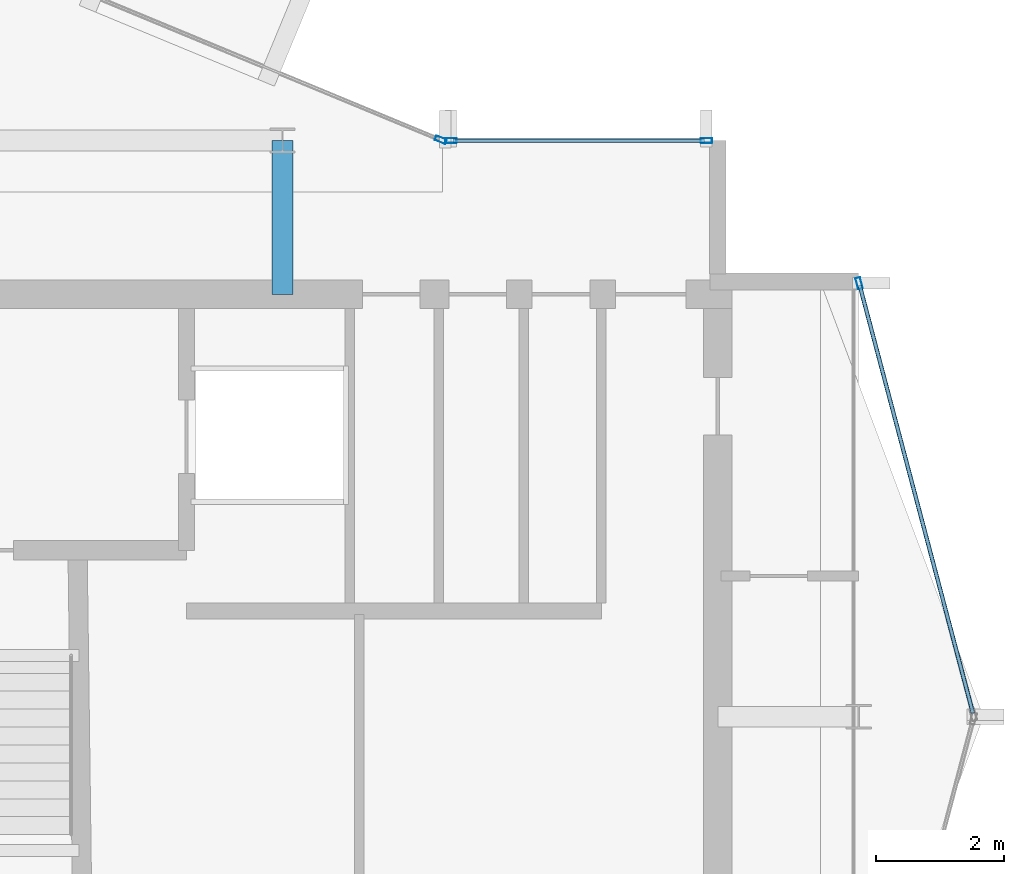
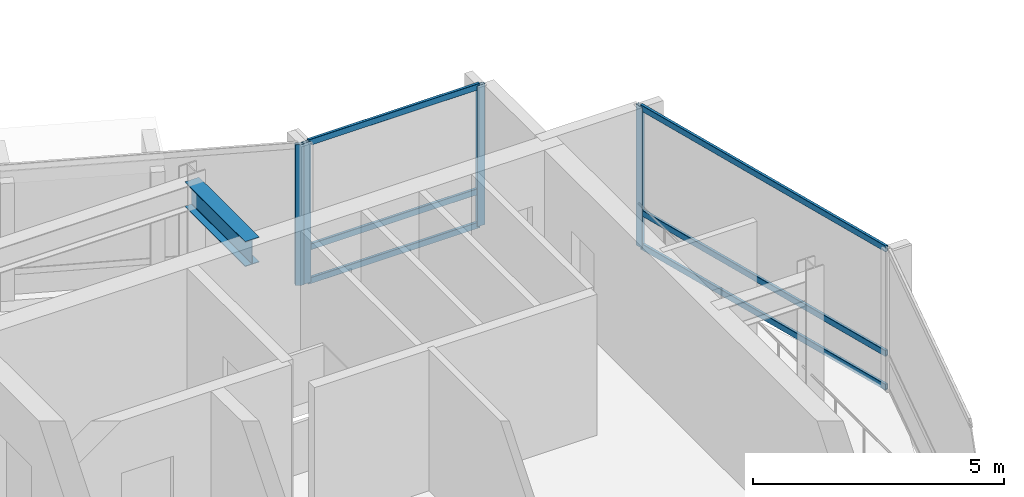
# One storey, part 10 of 19: 10 members, 1 beam, 3 elements without a shape of their own.
"""IFC4 building model written with IfcOpenShell, lengths in metres."""

from ifc_helpers import new_model, si_unit, direction, frame, origin, origin_2d, place, context, subcontext, project, spatial, hollow_rectangle, i_section, extrude, material, layer, layer_set, material_profile, profile_set, type_object, element, aggregate, save


model = new_model("IFC4")

# Units and contexts
model_context = context("Model", 3, precision=1e-05, world=origin(), true_north=direction((0.0, 1.0)))
body_context = subcontext(model_context, "Body", "Model", "MODEL_VIEW")
ifc_project = project(units=[si_unit("LENGTHUNIT", "METRE"), si_unit("AREAUNIT", "SQUARE_METRE"), si_unit("VOLUMEUNIT", "CUBIC_METRE"), si_unit("PLANEANGLEUNIT", "RADIAN"), si_unit("MASSUNIT", "GRAM", prefix="KILO")], contexts=[model_context])

# Site, building, storey
site_placement = place(None, origin())
site = spatial("IfcSite", under=ifc_project, at=site_placement, CompositionType="ELEMENT")
building_placement = place(site_placement, origin())
building = spatial("IfcBuilding", under=site, at=building_placement, Name="Solvaryn Broadcast Tower", CompositionType="ELEMENT")
storey_placement = place(building_placement, frame((0.0, 0.0, 240.800048828125)))
storey = spatial("IfcBuildingStorey", under=building, at=storey_placement, Name="L60", CompositionType="ELEMENT", Elevation=240.800048828125)

# Beam
ifc_material_1 = material(Name="Steel ASTM A992 Grade 50", Category="steel")
ifc_material_profile_1 = material_profile(ifc_material_1, i_section(OverallWidth=0.323974609375, OverallDepth=0.611083984375, WebThickness=0.0126953125, FlangeThickness=0.01904296875, FilletRadius=0.014892578125, at=origin_2d()))
ifc_profile_set_1 = profile_set([ifc_material_profile_1], Name="Steel ASTM A992 Grade 50")
beam_type = type_object("IfcBeamType", Name="BM-B1-W24X104", PredefinedType="BEAM", material=ifc_profile_set_1)
beam_placement = place(storey_placement, frame((36.0, 24.60009765625, 3.114501953125), z_axis=(0.0, 1.0, 0.0), x_axis=(-1.0, 0.0, 0.0)))
element("IfcBeam", 1, at=beam_placement, inside=storey, type_object=beam_type, Name="L60 Core Tie Beam CTE2", PredefinedType="BEAM", context=body_context, shape_type="SweptSolid", body=[
    extrude(i_section(OverallWidth=0.323974609375, OverallDepth=0.611083984375, WebThickness=0.0126953125, FlangeThickness=0.01904296875, FilletRadius=0.014892578125, at=origin_2d()), origin(), (0.0, 0.0, 1.0), 2.39990234375),
])

# Curtain wall, member
ifc_material_2 = material(Name="Aluminium and Terracotta Unitised Curtain Wall", Category="masonry")
ifc_layer = layer(ifc_material_2, 0.199951171875)
ifc_layer_set = layer_set([ifc_layer], Name="CW-SYS2-LOWMID")
curtain_wall_type = type_object("IfcCurtainWallType", Name="CW-SYS2-LOWMID", PredefinedType="NOTDEFINED", material=ifc_layer_set)
curtain_wall_1_placement = place(storey_placement, origin())
curtain_wall_1 = element("IfcCurtainWall", 2, at=curtain_wall_1_placement, inside=storey, type_object=curtain_wall_type, Name="L60 Curtain Wall CN1", PredefinedType="NOTDEFINED")
ifc_material_3 = material(Name="Anodised Aluminium 6063-T6", Category="aluminium")
ifc_material_profile_2 = material_profile(ifc_material_3, hollow_rectangle(XDim=0.074951171875, YDim=0.179931640625, WallThickness=0.00390625, InnerFilletRadius=0.00390625, OuterFilletRadius=0.008056640625, at=origin_2d()))
ifc_profile_set_2 = profile_set([ifc_material_profile_2], Name="Anodised Aluminium 6063-T6")
member_type_1 = type_object("IfcMemberType", Name="CW-MUL-180", PredefinedType="MULLION", material=ifc_profile_set_2)
member_1_placement = place(storey_placement, frame((38.47216796875, 27.011474609375, 0.0), z_axis=(0.0, 0.0, 1.0), x_axis=(-0.382646127145, -0.923894983957, 0.0)))
member_1 = element("IfcMember", 3, at=member_1_placement, type_object=member_type_1, Name="CWS2 mullion 1", PredefinedType="MULLION", context=body_context, shape_type="SweptSolid", body=[
    extrude(hollow_rectangle(XDim=0.074951171875, YDim=0.179931640625, WallThickness=0.00390625, InnerFilletRadius=0.00390625, OuterFilletRadius=0.008056640625, at=origin_2d()), origin(), (0.0, 0.0, 1.0), 3.419921875),
])
aggregate(curtain_wall_1, [member_1])

curtain_wall_2_placement = place(storey_placement, origin())
curtain_wall_2 = element("IfcCurtainWall", 4, at=curtain_wall_2_placement, inside=storey, type_object=curtain_wall_type, Name="L60 Curtain Wall ET1", PredefinedType="NOTDEFINED")
member_2_placement = place(storey_placement, frame((45.007568359375, 24.77099609375, 0.0), z_axis=(0.0, 0.0, 1.0), x_axis=(0.966705227863, 0.25589256031, 0.0)))
member_2 = element("IfcMember", 5, at=member_2_placement, type_object=member_type_1, Name="CWS2 mullion 1", PredefinedType="MULLION", context=body_context, shape_type="SweptSolid", body=[
    extrude(hollow_rectangle(XDim=0.074951171875, YDim=0.179931640625, WallThickness=0.00390625, InnerFilletRadius=0.00390625, OuterFilletRadius=0.008056640625, at=origin_2d()), origin(), (0.0, 0.0, 1.0), 3.419921875),
])

# Curtain wall, members
curtain_wall_3_placement = place(storey_placement, origin())
curtain_wall_3 = element("IfcCurtainWall", 6, at=curtain_wall_3_placement, inside=storey, type_object=curtain_wall_type, Name="L60 Curtain Wall IH", PredefinedType="NOTDEFINED")
member_3_placement = place(storey_placement, frame((38.6298828125, 27.0, 0.0), z_axis=(0.0, 0.0, 1.0), x_axis=(0.0, 1.0, 0.0)))
member_3 = element("IfcMember", 7, at=member_3_placement, type_object=member_type_1, Name="CWS2 mullion 1", PredefinedType="MULLION", context=body_context, shape_type="SweptSolid", body=[
    extrude(hollow_rectangle(XDim=0.074951171875, YDim=0.179931640625, WallThickness=0.00390625, InnerFilletRadius=0.00390625, OuterFilletRadius=0.008056640625, at=origin_2d()), origin(), (0.0, 0.0, 1.0), 3.419921875),
])
member_4_placement = place(storey_placement, frame((42.6201171875, 27.0, 0.0), z_axis=(0.0, 0.0, 1.0), x_axis=(0.0, 1.0, 0.0)))
member_4 = element("IfcMember", 8, at=member_4_placement, type_object=member_type_1, Name="CWS2 mullion 2", PredefinedType="MULLION", context=body_context, shape_type="SweptSolid", body=[
    extrude(hollow_rectangle(XDim=0.074951171875, YDim=0.179931640625, WallThickness=0.00390625, InnerFilletRadius=0.00390625, OuterFilletRadius=0.008056640625, at=origin_2d()), origin(), (0.0, 0.0, 1.0), 3.419921875),
])

# Member
ifc_material_4 = material(Name="Anodised Aluminium 6063-T6", Category="aluminium")
ifc_material_profile_3 = material_profile(ifc_material_4, hollow_rectangle(XDim=0.06494140625, YDim=0.14990234375, WallThickness=0.00390625, InnerFilletRadius=0.00390625, OuterFilletRadius=0.008056640625, at=origin_2d()))
ifc_profile_set_3 = profile_set([ifc_material_profile_3], Name="Anodised Aluminium 6063-T6")
member_type_2 = type_object("IfcMemberType", Name="CW-TRN-150", PredefinedType="USERDEFINED", material=ifc_profile_set_3)
member_5_placement = place(storey_placement, frame((45.015380859375, 24.741943359375, 0.030029296875), z_axis=(0.255897413051, -0.966703943301, 0.0), x_axis=(0.966703943301, 0.255897413051, 0.0)))
member_5 = element("IfcMember", 9, at=member_5_placement, type_object=member_type_2, Name="CWS2 transom 1.1", ObjectType="TRANSOM", PredefinedType="USERDEFINED", context=body_context, shape_type="SweptSolid", body=[
    extrude(hollow_rectangle(XDim=0.06494140625, YDim=0.14990234375, WallThickness=0.00390625, InnerFilletRadius=0.00390625, OuterFilletRadius=0.008056640625, at=origin_2d()), origin(), (0.0, 0.0, 1.0), 6.9140625),
])

member_6_placement = place(storey_placement, frame((45.015380859375, 24.741943359375, 0.849853515625), z_axis=(0.255897413051, -0.966703943301, 0.0), x_axis=(0.966703943301, 0.255897413051, 0.0)))
member_6 = element("IfcMember", 10, at=member_6_placement, type_object=member_type_2, Name="CWS2 transom 1.2", ObjectType="TRANSOM", PredefinedType="USERDEFINED", context=body_context, shape_type="SweptSolid", body=[
    extrude(hollow_rectangle(XDim=0.06494140625, YDim=0.14990234375, WallThickness=0.00390625, InnerFilletRadius=0.00390625, OuterFilletRadius=0.008056640625, at=origin_2d()), origin(), (0.0, 0.0, 1.0), 6.9140625),
])

member_7_placement = place(storey_placement, frame((45.015380859375, 24.741943359375, 3.389892578125), z_axis=(0.255897413051, -0.966703943301, 0.0), x_axis=(0.966703943301, 0.255897413051, 0.0)))
member_7 = element("IfcMember", 11, at=member_7_placement, type_object=member_type_2, Name="CWS2 transom 1.3", ObjectType="TRANSOM", PredefinedType="USERDEFINED", context=body_context, shape_type="SweptSolid", body=[
    extrude(hollow_rectangle(XDim=0.06494140625, YDim=0.14990234375, WallThickness=0.00390625, InnerFilletRadius=0.00390625, OuterFilletRadius=0.008056640625, at=origin_2d()), origin(), (0.0, 0.0, 1.0), 6.9140625),
])

aggregate(curtain_wall_2, [member_2, member_5, member_6, member_7])

member_8_placement = place(storey_placement, frame((38.659912109375, 27.0, 0.030029296875), z_axis=(1.0, 0.0, 0.0), x_axis=(0.0, 1.0, 0.0)))
member_8 = element("IfcMember", 12, at=member_8_placement, type_object=member_type_2, Name="CWS2 transom 1.1", ObjectType="TRANSOM", PredefinedType="USERDEFINED", context=body_context, shape_type="SweptSolid", body=[
    extrude(hollow_rectangle(XDim=0.06494140625, YDim=0.14990234375, WallThickness=0.00390625, InnerFilletRadius=0.00390625, OuterFilletRadius=0.008056640625, at=origin_2d()), origin(), (0.0, 0.0, 1.0), 3.93017578125),
])

member_9_placement = place(storey_placement, frame((38.659912109375, 27.0, 0.849853515625), z_axis=(1.0, 0.0, 0.0), x_axis=(0.0, 1.0, 0.0)))
member_9 = element("IfcMember", 13, at=member_9_placement, type_object=member_type_2, Name="CWS2 transom 1.2", ObjectType="TRANSOM", PredefinedType="USERDEFINED", context=body_context, shape_type="SweptSolid", body=[
    extrude(hollow_rectangle(XDim=0.06494140625, YDim=0.14990234375, WallThickness=0.00390625, InnerFilletRadius=0.00390625, OuterFilletRadius=0.008056640625, at=origin_2d()), origin(), (0.0, 0.0, 1.0), 3.93017578125),
])

member_10_placement = place(storey_placement, frame((38.659912109375, 27.0, 3.389892578125), z_axis=(1.0, 0.0, 0.0), x_axis=(0.0, 1.0, 0.0)))
member_10 = element("IfcMember", 14, at=member_10_placement, type_object=member_type_2, Name="CWS2 transom 1.3", ObjectType="TRANSOM", PredefinedType="USERDEFINED", context=body_context, shape_type="SweptSolid", body=[
    extrude(hollow_rectangle(XDim=0.06494140625, YDim=0.14990234375, WallThickness=0.00390625, InnerFilletRadius=0.00390625, OuterFilletRadius=0.008056640625, at=origin_2d()), origin(), (0.0, 0.0, 1.0), 3.93017578125),
])

aggregate(curtain_wall_3, [member_3, member_4, member_8, member_9, member_10])

save(model, "model.ifc")
